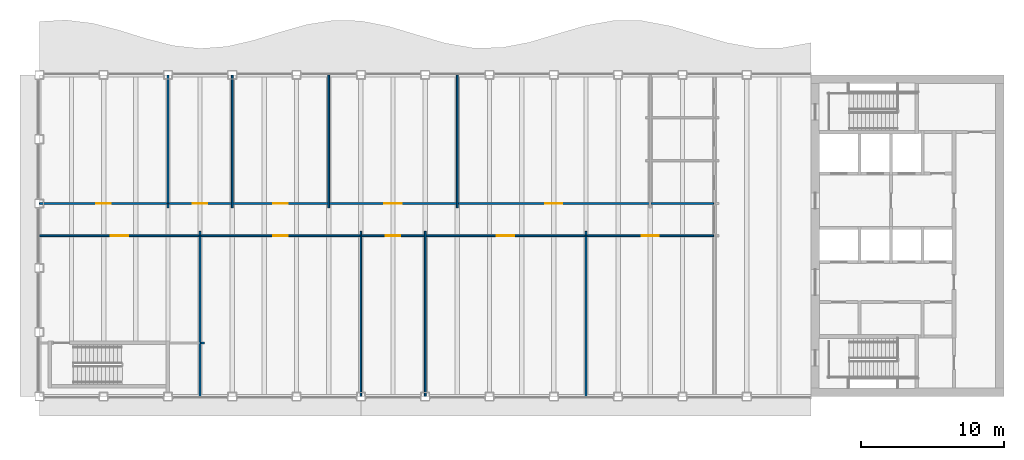
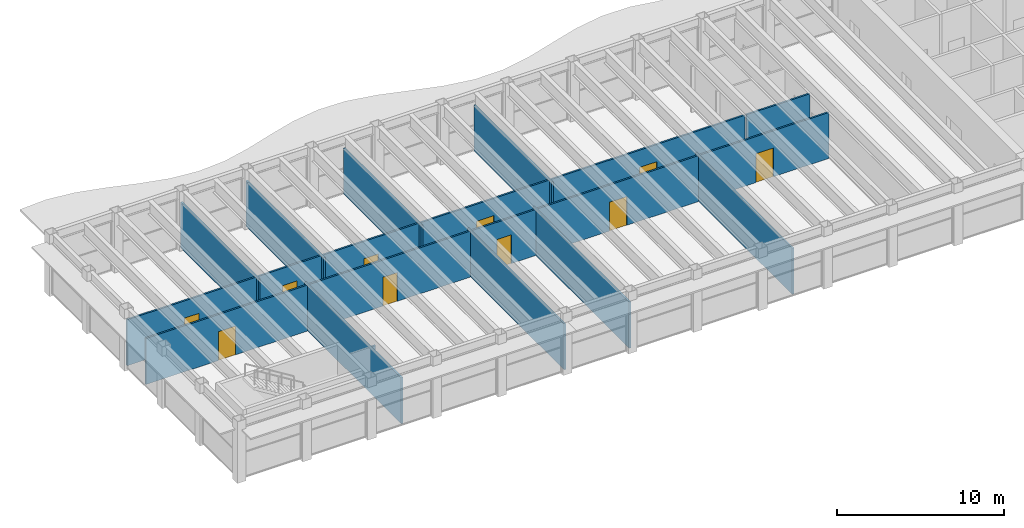
# One storey, part 9 of 15: 20 walls, 10 doors, 10 openings.
"""IFC4 building model written with IfcOpenShell, lengths in metres."""

from ifc_helpers import new_model, si_unit, direction, frame, frame_2d, origin, place, context, subcontext, project, spatial, rectangle, extrude, material, layer, layer_set, type_object, element, fill, save


model = new_model("IFC4")

# Units and contexts
model_context = context("Model", 3, precision=1e-05, world=origin(), true_north=direction((0.0, 1.0)))
body_context = subcontext(model_context, "Body", "Model", "MODEL_VIEW")
ifc_project = project(units=[si_unit("LENGTHUNIT", "METRE"), si_unit("AREAUNIT", "SQUARE_METRE"), si_unit("VOLUMEUNIT", "CUBIC_METRE"), si_unit("PLANEANGLEUNIT", "RADIAN"), si_unit("MASSUNIT", "GRAM", prefix="KILO")], contexts=[model_context])

# Site, building, storey
site_placement = place(None, origin())
site = spatial("IfcSite", under=ifc_project, at=site_placement, CompositionType="ELEMENT")
building_placement = place(site_placement, origin())
building = spatial("IfcBuilding", under=site, at=building_placement, Name="Sennacour Bend Tower", CompositionType="ELEMENT")
storey_placement = place(building_placement, frame((0.0, 0.0, 318.5)))
storey = spatial("IfcBuildingStorey", under=building, at=storey_placement, Name="L73", CompositionType="ELEMENT", Elevation=318.5)

# Walls
ifc_material_1 = material(Name="Plasterboard partition on steel studs", Category="steel")
ifc_layer_1 = layer(ifc_material_1, 0.1201171875, Name="Plasterboard partition on steel studs", Category="steel")
ifc_layer_set_1 = layer_set([ifc_layer_1], Name="Plasterboard partition on steel studs")
wall_type_1 = type_object("IfcWallType", Name="Partition 120", PredefinedType="PARTITIONING", material=ifc_layer_set_1)
wall_1_placement = place(storey_placement, frame((9.0, 13.199951171875, 0.0), z_axis=(0.0, 0.0, 1.0), x_axis=(0.0, 1.0, 0.0)))
element("IfcWall", 1, at=wall_1_placement, inside=storey, type_object=wall_type_1, Name="P-L73-W004a", PredefinedType="PARTITIONING", context=body_context, shape_type="SweptSolid", body=[
    extrude(rectangle(XDim=9.2900390625, YDim=0.1201171875, at=frame_2d((4.64501953125, 0.0))), origin(), (0.0, 0.0, 1.0), 3.35888671875),
])
wall_2_placement = place(storey_placement, frame((11.25, 0.010009765625, 0.0), z_axis=(0.0, 0.0, 1.0), x_axis=(0.0, 1.0, 0.0)))
element("IfcWall", 2, at=wall_2_placement, inside=storey, type_object=wall_type_1, Name="P-L73-W005a", PredefinedType="PARTITIONING", context=body_context, shape_type="SweptSolid", body=[
    extrude(rectangle(XDim=11.5400390625, YDim=0.1201171875, at=frame_2d((5.77001953125, 0.0))), origin(), (0.0, 0.0, 1.0), 3.35888671875),
])
for number, where, z_axis, x_axis, name in (
    (3, (13.5, 13.199951171875, 0.0), (0.0, 0.0, 1.0), (0.0, 1.0, 0.0), "P-L73-W006a"),
    (4, (20.25, 13.199951171875, 0.0), (0.0, 0.0, 1.0), (0.0, 1.0, 0.0), "P-L73-W007a"),
):
    element("IfcWall", number, at=place(storey_placement, frame(where, z_axis=z_axis, x_axis=x_axis)), inside=storey, type_object=wall_type_1, Name=name, PredefinedType="PARTITIONING", context=body_context, shape_type="SweptSolid", body=[
        extrude(rectangle(XDim=9.2900390625, YDim=0.1201171875, at=frame_2d((4.64501953125, 0.0))), origin(), (0.0, 0.0, 1.0), 3.35888671875),
    ])
for number, where, z_axis, x_axis, name in (
    (5, (22.5, 0.010009765625, 0.0), (0.0, 0.0, 1.0), (0.0, 1.0, 0.0), "P-L73-W008a"),
    (6, (27.0, 0.010009765625, 0.0), (0.0, 0.0, 1.0), (0.0, 1.0, 0.0), "P-L73-W009a"),
):
    element("IfcWall", number, at=place(storey_placement, frame(where, z_axis=z_axis, x_axis=x_axis)), inside=storey, type_object=wall_type_1, Name=name, PredefinedType="PARTITIONING", context=body_context, shape_type="SweptSolid", body=[
        extrude(rectangle(XDim=11.5400390625, YDim=0.1201171875, at=frame_2d((5.77001953125, 0.0))), origin(), (0.0, 0.0, 1.0), 3.35888671875),
    ])
wall_3_placement = place(storey_placement, frame((29.25, 13.199951171875, 0.0), z_axis=(0.0, 0.0, 1.0), x_axis=(0.0, 1.0, 0.0)))
element("IfcWall", 7, at=wall_3_placement, inside=storey, type_object=wall_type_1, Name="P-L73-W010a", PredefinedType="PARTITIONING", context=body_context, shape_type="SweptSolid", body=[
    extrude(rectangle(XDim=9.2900390625, YDim=0.1201171875, at=frame_2d((4.64501953125, 0.0))), origin(), (0.0, 0.0, 1.0), 3.35888671875),
])
wall_4_placement = place(storey_placement, frame((38.25, 0.010009765625, 0.0), z_axis=(0.0, 0.0, 1.0), x_axis=(0.0, 1.0, 0.0)))
element("IfcWall", 8, at=wall_4_placement, inside=storey, type_object=wall_type_1, Name="P-L73-W011a", PredefinedType="PARTITIONING", context=body_context, shape_type="SweptSolid", body=[
    extrude(rectangle(XDim=11.5400390625, YDim=0.1201171875, at=frame_2d((5.77001953125, 0.0))), origin(), (0.0, 0.0, 1.0), 3.35888671875),
])
wall_5_placement = place(storey_placement, frame((11.31005859375, 3.75, 0.0), z_axis=(0.0, 0.0, 1.0), x_axis=(1.0, 0.0, 0.0)))
element("IfcWall", 9, at=wall_5_placement, inside=storey, type_object=wall_type_1, Name="P-L73-W031ab", PredefinedType="PARTITIONING", context=body_context, shape_type="SweptSolid", body=[
    extrude(rectangle(XDim=0.239990234375, YDim=0.1201171875, at=frame_2d((0.1201171875, 0.0))), origin(), (0.0, 0.0, 1.0), 3.35888671875),
])

# Wall, opening, door
wall_6_placement = place(storey_placement, frame((11.31005859375, 11.25, 0.0), z_axis=(0.0, 0.0, 1.0), x_axis=(1.0, 0.0, 0.0)))
wall_6 = element("IfcWall", 10, at=wall_6_placement, inside=storey, type_object=wall_type_1, Name="P-L73-W036ab", PredefinedType="PARTITIONING", context=body_context, shape_type="SweptSolid", body=[
    extrude(rectangle(XDim=11.1298828125, YDim=0.1201171875, at=frame_2d((5.56494140625, 0.0))), origin(), (0.0, 0.0, 1.0), 3.35888671875),
])
opening_1_placement = place(wall_6_placement, frame((5.06494140625, 0.0, 0.0)))
opening_1 = element("IfcOpeningElement", 11, at=opening_1_placement, cuts=wall_6, Name="Opening OD2", PredefinedType="OPENING", context=body_context, shape_type="SweptSolid", body=[
    extrude(rectangle(XDim=1.0, YDim=2.10009765625, at=frame_2d((0.5, 1.050048828125))), frame((0.0, 0.070068359375, 0.0), z_axis=(0.0, -1.0, 0.0), x_axis=(1.0, 0.0, 0.0)), (0.0, 0.0, 1.0), 0.14013671875),
])
ifc_material_2 = material(Name="Timber", Category="wood")
door_type_1 = type_object("IfcDoorType", Name="DR-OFFICE-1000", OperationType="NOTDEFINED", PredefinedType="DOOR", material=ifc_material_2)
door_1_placement = place(opening_1_placement, origin())
door_1 = element("IfcDoor", 12, at=door_1_placement, inside=storey, type_object=door_type_1, Name="Door", OperationType="SINGLE_SWING_LEFT", OverallHeight=2.10009765625, OverallWidth=1.0, PredefinedType="DOOR", context=body_context, shape_type="SweptSolid", body=[
    extrude(rectangle(XDim=1.0, YDim=2.10009765625, at=frame_2d((0.5, 1.050048828125))), frame((0.0, 0.02490234375, 0.0), z_axis=(0.0, -1.0, 0.0), x_axis=(1.0, 0.0, 0.0)), (0.0, 0.0, 1.0), 0.050048828125),
])
fill(opening_1, door_1)

wall_7_placement = place(storey_placement, frame((22.56005859375, 11.25, 0.0), z_axis=(0.0, 0.0, 1.0), x_axis=(1.0, 0.0, 0.0)))
wall_7 = element("IfcWall", 13, at=wall_7_placement, inside=storey, type_object=wall_type_1, Name="P-L73-W036ac", PredefinedType="PARTITIONING", context=body_context, shape_type="SweptSolid", body=[
    extrude(rectangle(XDim=4.3798828125, YDim=0.1201171875, at=frame_2d((2.18994140625, 0.0))), origin(), (0.0, 0.0, 1.0), 3.35888671875),
])
opening_2_placement = place(wall_7_placement, frame((1.68994140625, 0.0, 0.0)))
opening_2 = element("IfcOpeningElement", 14, at=opening_2_placement, cuts=wall_7, Name="Opening OD2", PredefinedType="OPENING", context=body_context, shape_type="SweptSolid", body=[
    extrude(rectangle(XDim=1.0, YDim=2.10009765625, at=frame_2d((0.5, 1.050048828125))), frame((0.0, 0.070068359375, 0.0), z_axis=(0.0, -1.0, 0.0), x_axis=(1.0, 0.0, 0.0)), (0.0, 0.0, 1.0), 0.14013671875),
])
door_2_placement = place(opening_2_placement, origin())
door_2 = element("IfcDoor", 15, at=door_2_placement, inside=storey, type_object=door_type_1, Name="Door", OperationType="SINGLE_SWING_LEFT", OverallHeight=2.10009765625, OverallWidth=1.0, PredefinedType="DOOR", context=body_context, shape_type="SweptSolid", body=[
    extrude(rectangle(XDim=1.0, YDim=2.10009765625, at=frame_2d((0.5, 1.050048828125))), frame((0.0, 0.02490234375, 0.0), z_axis=(0.0, -1.0, 0.0), x_axis=(1.0, 0.0, 0.0)), (0.0, 0.0, 1.0), 0.050048828125),
])
fill(opening_2, door_2)

wall_8_placement = place(storey_placement, frame((27.06005859375, 11.25, 0.0), z_axis=(0.0, 0.0, 1.0), x_axis=(1.0, 0.0, 0.0)))
wall_8 = element("IfcWall", 16, at=wall_8_placement, inside=storey, type_object=wall_type_1, Name="P-L73-W036ad", PredefinedType="PARTITIONING", context=body_context, shape_type="SweptSolid", body=[
    extrude(rectangle(XDim=11.1298828125, YDim=0.1201171875, at=frame_2d((5.56494140625, 0.0))), origin(), (0.0, 0.0, 1.0), 3.35888671875),
])
opening_3_placement = place(wall_8_placement, frame((4.96484375, 0.0, 0.0)))
opening_3 = element("IfcOpeningElement", 17, at=opening_3_placement, cuts=wall_8, Name="Opening OD", PredefinedType="OPENING", context=body_context, shape_type="SweptSolid", body=[
    extrude(rectangle(XDim=1.199951171875, YDim=2.10009765625, at=frame_2d((0.60009765625, 1.050048828125))), frame((0.0, 0.070068359375, 0.0), z_axis=(0.0, -1.0, 0.0), x_axis=(1.0, 0.0, 0.0)), (0.0, 0.0, 1.0), 0.14013671875),
])
door_type_2 = type_object("IfcDoorType", Name="DR-OFFICE-1200", OperationType="NOTDEFINED", PredefinedType="DOOR", material=ifc_material_2)
door_3_placement = place(opening_3_placement, origin())
door_3 = element("IfcDoor", 18, at=door_3_placement, inside=storey, type_object=door_type_2, Name="Door", OperationType="SINGLE_SWING_LEFT", OverallHeight=2.10009765625, OverallWidth=1.199951171875, PredefinedType="DOOR", context=body_context, shape_type="SweptSolid", body=[
    extrude(rectangle(XDim=1.199951171875, YDim=2.10009765625, at=frame_2d((0.60009765625, 1.050048828125))), frame((0.0, 0.02490234375, 0.0), z_axis=(0.0, -1.0, 0.0), x_axis=(1.0, 0.0, 0.0)), (0.0, 0.0, 1.0), 0.050048828125),
])
fill(opening_3, door_3)

wall_9_placement = place(storey_placement, frame((38.31005859375, 11.25, 0.0), z_axis=(0.0, 0.0, 1.0), x_axis=(1.0, 0.0, 0.0)))
wall_9 = element("IfcWall", 19, at=wall_9_placement, inside=storey, type_object=wall_type_1, Name="P-L73-W036ae", PredefinedType="PARTITIONING", context=body_context, shape_type="SweptSolid", body=[
    extrude(rectangle(XDim=8.8798828125, YDim=0.1201171875, at=frame_2d((4.43994140625, 0.0))), origin(), (0.0, 0.0, 1.0), 3.35888671875),
])
opening_4_placement = place(wall_9_placement, frame((3.83984375, 0.0, 0.0)))
opening_4 = element("IfcOpeningElement", 20, at=opening_4_placement, cuts=wall_9, Name="Opening MD", PredefinedType="OPENING", context=body_context, shape_type="SweptSolid", body=[
    extrude(rectangle(XDim=1.199951171875, YDim=2.10009765625, at=frame_2d((0.60009765625, 1.050048828125))), frame((0.0, 0.070068359375, 0.0), z_axis=(0.0, -1.0, 0.0), x_axis=(1.0, 0.0, 0.0)), (0.0, 0.0, 1.0), 0.14013671875),
])
door_type_3 = type_object("IfcDoorType", Name="DR-MEETING-1200", OperationType="NOTDEFINED", PredefinedType="DOOR", material=ifc_material_2)
door_4_placement = place(opening_4_placement, origin())
door_4 = element("IfcDoor", 21, at=door_4_placement, inside=storey, type_object=door_type_3, Name="Door", OperationType="SINGLE_SWING_LEFT", OverallHeight=2.10009765625, OverallWidth=1.199951171875, PredefinedType="DOOR", context=body_context, shape_type="SweptSolid", body=[
    extrude(rectangle(XDim=1.199951171875, YDim=2.10009765625, at=frame_2d((0.60009765625, 1.050048828125))), frame((0.0, 0.02490234375, 0.0), z_axis=(0.0, -1.0, 0.0), x_axis=(1.0, 0.0, 0.0)), (0.0, 0.0, 1.0), 0.050048828125),
])
fill(opening_4, door_4)

wall_10_placement = place(storey_placement, frame((0.010009765625, 13.5, 0.0), z_axis=(0.0, 0.0, 1.0), x_axis=(1.0, 0.0, 0.0)))
wall_10 = element("IfcWall", 22, at=wall_10_placement, inside=storey, type_object=wall_type_1, Name="P-L73-W038aa", PredefinedType="PARTITIONING", context=body_context, shape_type="SweptSolid", body=[
    extrude(rectangle(XDim=8.929931640625, YDim=0.1201171875, at=frame_2d((4.46484375, 0.0))), origin(), (0.0, 0.0, 1.0), 3.35888671875),
])
opening_5_placement = place(wall_10_placement, frame((3.97509765625, 0.0, 0.0)))
opening_5 = element("IfcOpeningElement", 23, at=opening_5_placement, cuts=wall_10, Name="Opening OD2", PredefinedType="OPENING", context=body_context, shape_type="SweptSolid", body=[
    extrude(rectangle(XDim=1.0, YDim=2.10009765625, at=frame_2d((0.5, 1.050048828125))), frame((0.0, 0.070068359375, 0.0), z_axis=(0.0, -1.0, 0.0), x_axis=(1.0, 0.0, 0.0)), (0.0, 0.0, 1.0), 0.14013671875),
])
door_5_placement = place(opening_5_placement, origin())
door_5 = element("IfcDoor", 24, at=door_5_placement, inside=storey, type_object=door_type_1, Name="Door", OperationType="SINGLE_SWING_RIGHT", OverallHeight=2.10009765625, OverallWidth=1.0, PredefinedType="DOOR", context=body_context, shape_type="SweptSolid", body=[
    extrude(rectangle(XDim=1.0, YDim=2.10009765625, at=frame_2d((0.5, 1.050048828125))), frame((0.0, 0.02490234375, 0.0), z_axis=(0.0, -1.0, 0.0), x_axis=(1.0, 0.0, 0.0)), (0.0, 0.0, 1.0), 0.050048828125),
])
fill(opening_5, door_5)

wall_11_placement = place(storey_placement, frame((9.06005859375, 13.5, 0.0), z_axis=(0.0, 0.0, 1.0), x_axis=(1.0, 0.0, 0.0)))
wall_11 = element("IfcWall", 25, at=wall_11_placement, inside=storey, type_object=wall_type_1, Name="P-L73-W038ab", PredefinedType="PARTITIONING", context=body_context, shape_type="SweptSolid", body=[
    extrude(rectangle(XDim=4.3798828125, YDim=0.1201171875, at=frame_2d((2.18994140625, 0.0))), origin(), (0.0, 0.0, 1.0), 3.35888671875),
])
opening_6_placement = place(wall_11_placement, frame((1.68994140625, 0.0, 0.0)))
opening_6 = element("IfcOpeningElement", 26, at=opening_6_placement, cuts=wall_11, Name="Opening OD2", PredefinedType="OPENING", context=body_context, shape_type="SweptSolid", body=[
    extrude(rectangle(XDim=1.0, YDim=2.10009765625, at=frame_2d((0.5, 1.050048828125))), frame((0.0, 0.070068359375, 0.0), z_axis=(0.0, -1.0, 0.0), x_axis=(1.0, 0.0, 0.0)), (0.0, 0.0, 1.0), 0.14013671875),
])
door_6_placement = place(opening_6_placement, origin())
door_6 = element("IfcDoor", 27, at=door_6_placement, inside=storey, type_object=door_type_1, Name="Door", OperationType="SINGLE_SWING_LEFT", OverallHeight=2.10009765625, OverallWidth=1.0, PredefinedType="DOOR", context=body_context, shape_type="SweptSolid", body=[
    extrude(rectangle(XDim=1.0, YDim=2.10009765625, at=frame_2d((0.5, 1.050048828125))), frame((0.0, 0.02490234375, 0.0), z_axis=(0.0, -1.0, 0.0), x_axis=(1.0, 0.0, 0.0)), (0.0, 0.0, 1.0), 0.050048828125),
])
fill(opening_6, door_6)

wall_12_placement = place(storey_placement, frame((13.56005859375, 13.5, 0.0), z_axis=(0.0, 0.0, 1.0), x_axis=(1.0, 0.0, 0.0)))
wall_12 = element("IfcWall", 28, at=wall_12_placement, inside=storey, type_object=wall_type_1, Name="P-L73-W038ac", PredefinedType="PARTITIONING", context=body_context, shape_type="SweptSolid", body=[
    extrude(rectangle(XDim=6.6298828125, YDim=0.1201171875, at=frame_2d((3.31494140625, 0.0))), origin(), (0.0, 0.0, 1.0), 3.35888671875),
])
opening_7_placement = place(wall_12_placement, frame((2.81494140625, 0.0, 0.0)))
opening_7 = element("IfcOpeningElement", 29, at=opening_7_placement, cuts=wall_12, Name="Opening MD2", PredefinedType="OPENING", context=body_context, shape_type="SweptSolid", body=[
    extrude(rectangle(XDim=1.0, YDim=2.10009765625, at=frame_2d((0.5, 1.050048828125))), frame((0.0, 0.070068359375, 0.0), z_axis=(0.0, -1.0, 0.0), x_axis=(1.0, 0.0, 0.0)), (0.0, 0.0, 1.0), 0.14013671875),
])
door_type_4 = type_object("IfcDoorType", Name="DR-MEETING-1000", OperationType="NOTDEFINED", PredefinedType="DOOR", material=ifc_material_2)
door_7_placement = place(opening_7_placement, origin())
door_7 = element("IfcDoor", 30, at=door_7_placement, inside=storey, type_object=door_type_4, Name="Door", OperationType="SINGLE_SWING_LEFT", OverallHeight=2.10009765625, OverallWidth=1.0, PredefinedType="DOOR", context=body_context, shape_type="SweptSolid", body=[
    extrude(rectangle(XDim=1.0, YDim=2.10009765625, at=frame_2d((0.5, 1.050048828125))), frame((0.0, 0.02490234375, 0.0), z_axis=(0.0, -1.0, 0.0), x_axis=(1.0, 0.0, 0.0)), (0.0, 0.0, 1.0), 0.050048828125),
])
fill(opening_7, door_7)

wall_13_placement = place(storey_placement, frame((20.31005859375, 13.5, 0.0), z_axis=(0.0, 0.0, 1.0), x_axis=(1.0, 0.0, 0.0)))
wall_13 = element("IfcWall", 31, at=wall_13_placement, inside=storey, type_object=wall_type_1, Name="P-L73-W038ad", PredefinedType="PARTITIONING", context=body_context, shape_type="SweptSolid", body=[
    extrude(rectangle(XDim=8.8798828125, YDim=0.1201171875, at=frame_2d((4.43994140625, 0.0))), origin(), (0.0, 0.0, 1.0), 3.35888671875),
])
opening_8_placement = place(wall_13_placement, frame((3.83984375, 0.0, 0.0)))
opening_8 = element("IfcOpeningElement", 32, at=opening_8_placement, cuts=wall_13, Name="Opening OD", PredefinedType="OPENING", context=body_context, shape_type="SweptSolid", body=[
    extrude(rectangle(XDim=1.199951171875, YDim=2.10009765625, at=frame_2d((0.60009765625, 1.050048828125))), frame((0.0, 0.070068359375, 0.0), z_axis=(0.0, -1.0, 0.0), x_axis=(1.0, 0.0, 0.0)), (0.0, 0.0, 1.0), 0.14013671875),
])
door_8_placement = place(opening_8_placement, origin())
door_8 = element("IfcDoor", 33, at=door_8_placement, inside=storey, type_object=door_type_2, Name="Door", OperationType="SINGLE_SWING_LEFT", OverallHeight=2.10009765625, OverallWidth=1.199951171875, PredefinedType="DOOR", context=body_context, shape_type="SweptSolid", body=[
    extrude(rectangle(XDim=1.199951171875, YDim=2.10009765625, at=frame_2d((0.60009765625, 1.050048828125))), frame((0.0, 0.02490234375, 0.0), z_axis=(0.0, -1.0, 0.0), x_axis=(1.0, 0.0, 0.0)), (0.0, 0.0, 1.0), 0.050048828125),
])
fill(opening_8, door_8)

wall_14_placement = place(storey_placement, frame((29.31005859375, 13.5, 0.0), z_axis=(0.0, 0.0, 1.0), x_axis=(1.0, 0.0, 0.0)))
wall_14 = element("IfcWall", 34, at=wall_14_placement, inside=storey, type_object=wall_type_1, Name="P-L73-W038ae", PredefinedType="PARTITIONING", context=body_context, shape_type="SweptSolid", body=[
    extrude(rectangle(XDim=13.3798828125, YDim=0.1201171875, at=frame_2d((6.68994140625, 0.0))), origin(), (0.0, 0.0, 1.0), 3.35888671875),
])
opening_9_placement = place(wall_14_placement, frame((6.08984375, 0.0, 0.0)))
opening_9 = element("IfcOpeningElement", 35, at=opening_9_placement, cuts=wall_14, Name="Opening MD", PredefinedType="OPENING", context=body_context, shape_type="SweptSolid", body=[
    extrude(rectangle(XDim=1.199951171875, YDim=2.10009765625, at=frame_2d((0.60009765625, 1.050048828125))), frame((0.0, 0.070068359375, 0.0), z_axis=(0.0, -1.0, 0.0), x_axis=(1.0, 0.0, 0.0)), (0.0, 0.0, 1.0), 0.14013671875),
])
door_9_placement = place(opening_9_placement, origin())
door_9 = element("IfcDoor", 36, at=door_9_placement, inside=storey, type_object=door_type_3, Name="Door", OperationType="SINGLE_SWING_LEFT", OverallHeight=2.10009765625, OverallWidth=1.199951171875, PredefinedType="DOOR", context=body_context, shape_type="SweptSolid", body=[
    extrude(rectangle(XDim=1.199951171875, YDim=2.10009765625, at=frame_2d((0.60009765625, 1.050048828125))), frame((0.0, 0.02490234375, 0.0), z_axis=(0.0, -1.0, 0.0), x_axis=(1.0, 0.0, 0.0)), (0.0, 0.0, 1.0), 0.050048828125),
])
fill(opening_9, door_9)

# Wall
wall_15_placement = place(storey_placement, frame((42.81005859375, 13.5, 0.0), z_axis=(0.0, 0.0, 1.0), x_axis=(1.0, 0.0, 0.0)))
element("IfcWall", 37, at=wall_15_placement, inside=storey, type_object=wall_type_1, Name="P-L73-W038af", PredefinedType="PARTITIONING", context=body_context, shape_type="SweptSolid", body=[
    extrude(rectangle(XDim=4.3798828125, YDim=0.1201171875, at=frame_2d((2.18994140625, 0.0))), origin(), (0.0, 0.0, 1.0), 3.35888671875),
])

# Wall, opening, door
ifc_layer_2 = layer(ifc_material_1, 0.1201171875, Name="Plasterboard partition on steel studs", Category="steel")
ifc_layer_set_2 = layer_set([ifc_layer_2], Name="Plasterboard partition on steel studs")
wall_type_2 = type_object("IfcWallType", Name="Partition 120 EI 30", PredefinedType="PARTITIONING", material=ifc_layer_set_2)
wall_16_placement = place(storey_placement, frame((0.010009765625, 11.25, 0.0), z_axis=(0.0, 0.0, 1.0), x_axis=(1.0, 0.0, 0.0)))
wall_16 = element("IfcWall", 38, at=wall_16_placement, inside=storey, type_object=wall_type_2, Name="P-L73-W036aa", PredefinedType="PARTITIONING", context=body_context, shape_type="SweptSolid", body=[
    extrude(rectangle(XDim=11.179931640625, YDim=0.1201171875, at=frame_2d((5.58984375, 0.0))), origin(), (0.0, 0.0, 1.0), 3.35888671875),
])
opening_10_placement = place(wall_16_placement, frame((5.0, 0.0, 0.0)))
opening_10 = element("IfcOpeningElement", 39, at=opening_10_placement, cuts=wall_16, Name="Opening KD2", PredefinedType="OPENING", context=body_context, shape_type="SweptSolid", body=[
    extrude(rectangle(XDim=1.199951171875, YDim=2.10009765625, at=frame_2d((0.60009765625, 1.050048828125))), frame((0.0, 0.070068359375, 0.0), z_axis=(0.0, -1.0, 0.0), x_axis=(1.0, 0.0, 0.0)), (0.0, 0.0, 1.0), 0.14013671875),
])
ifc_material_3 = material(Name="Painted steel", Category="steel")
door_type_5 = type_object("IfcDoorType", Name="DR-CORRIDOR-1200", OperationType="NOTDEFINED", PredefinedType="DOOR", material=ifc_material_3)
door_10_placement = place(opening_10_placement, origin())
door_10 = element("IfcDoor", 40, at=door_10_placement, inside=storey, type_object=door_type_5, Name="Door", OperationType="SINGLE_SWING_LEFT", OverallHeight=2.10009765625, OverallWidth=1.199951171875, PredefinedType="DOOR", context=body_context, shape_type="SweptSolid", body=[
    extrude(rectangle(XDim=1.199951171875, YDim=2.10009765625, at=frame_2d((0.60009765625, 1.050048828125))), frame((0.0, 0.02490234375, 0.0), z_axis=(0.0, -1.0, 0.0), x_axis=(1.0, 0.0, 0.0)), (0.0, 0.0, 1.0), 0.050048828125),
])
fill(opening_10, door_10)

save(model, "model.ifc")
